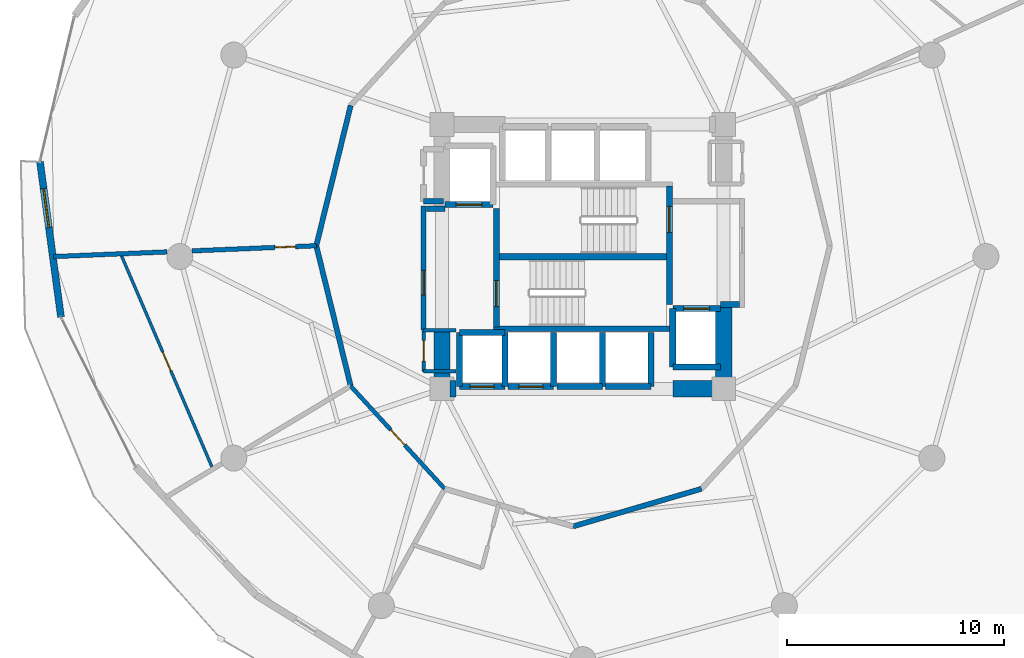
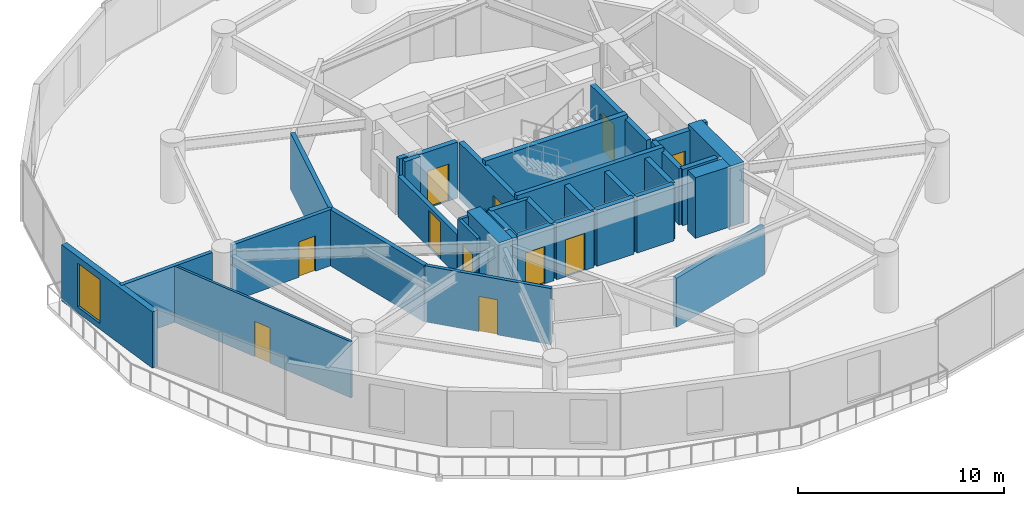
# One storey, part 19 of 24: 37 walls, 11 doors, 1 window, 12 openings.
"""IFC4 building model written with IfcOpenShell, lengths in metres."""

import ifcopenshell
import ifcopenshell.guid

model = None  # the IFC model being written
_history = None  # IfcOwnerHistory: only IFC2X3 demands one
_inside = {}  # id of a spatial element -> (the spatial element, [elements in it])
_under = {}  # id of a project, library or spatial element -> (it, [spatial elements below it])
_declared = {}  # id of a project -> (the project, [libraries it declares])
_typed = {}  # id of a type object -> (the type object, [elements of that type])
_made_of = {}  # id of a material, layer set ... -> (it, [elements and type objects made of it])


def new_model(schema):
    """Start an empty IFC model of exactly this schema.

    Asked for "IFC4X3", IfcOpenShell would pick the latest addendum, in which some entities
    have other attributes; the version numbers below select the first issue.
    IFC2X3 requires an IfcOwnerHistory on every rooted entity: one is made here for all.
    """
    global model, _history
    if schema == "IFC4X3":
        model = ifcopenshell.file(schema_version=(4, 3, 0, 0))
    else:
        model = ifcopenshell.file(schema=schema)
    _inside.clear()
    _under.clear()
    _declared.clear()
    _typed.clear()
    _made_of.clear()
    _history = None
    if model.schema == "IFC2X3":
        org = make("IfcOrganization", Name="unknown")
        user = make(
            "IfcPersonAndOrganization",
            ThePerson=make("IfcPerson", FamilyName="unknown"),
            TheOrganization=org,
        )
        app = make(
            "IfcApplication",
            ApplicationDeveloper=org,
            Version="unknown",
            ApplicationFullName="unknown",
            ApplicationIdentifier="unknown",
        )
        _history = make(
            "IfcOwnerHistory",
            OwningUser=user,
            OwningApplication=app,
            ChangeAction="ADDED",
            CreationDate=0,
        )
    return model


def make(cls, **values):
    """One entity of the class cls with the attributes given. An attribute that is None is left unset."""
    return model.create_entity(
        cls, **{name: value for name, value in values.items() if value is not None}
    )


def rooted(cls, **values):
    """An entity with a GlobalId (a new one), such as an element, a storey or a relation."""
    return make(cls, GlobalId=ifcopenshell.guid.new(), OwnerHistory=_history, **values)


def si_unit(unit_type, name, prefix=None):
    """IfcSIUnit, for example si_unit("LENGTHUNIT", "METRE", prefix="MILLI")."""
    return make("IfcSIUnit", UnitType=unit_type, Prefix=prefix, Name=name)


def assignment(units):
    """IfcUnitAssignment: the units of a project."""
    return None if units is None else make("IfcUnitAssignment", Units=units)


def point(xyz):
    """IfcCartesianPoint."""
    return None if xyz is None else make("IfcCartesianPoint", Coordinates=xyz)


def direction(xyz):
    """IfcDirection."""
    return None if xyz is None else make("IfcDirection", DirectionRatios=xyz)


def frame(location, z_axis=None, x_axis=None):
    """IfcAxis2Placement3D, a coordinate frame: its origin and axes. An axis left out is left unset."""
    return make(
        "IfcAxis2Placement3D",
        Location=point(location),
        Axis=direction(z_axis),
        RefDirection=direction(x_axis),
    )


def frame_2d(location, x_axis=None):
    """IfcAxis2Placement2D, a coordinate frame in the plane: its origin and x axis."""
    return make(
        "IfcAxis2Placement2D", Location=point(location), RefDirection=direction(x_axis)
    )


def origin():
    """The frame at (0, 0, 0) with its axes left unset."""
    return frame((0.0, 0.0, 0.0))


def place(relative_to, where):
    """IfcLocalPlacement: puts the frame where relative to a parent placement (None: the world)."""
    return make(
        "IfcLocalPlacement", PlacementRelTo=relative_to, RelativePlacement=where
    )


def context(
    kind, dimensions, precision=None, world=None, true_north=None, identifier=None
):
    """IfcGeometricRepresentationContext, for example the 3D "Model" context."""
    return make(
        "IfcGeometricRepresentationContext",
        ContextIdentifier=identifier,
        ContextType=kind,
        CoordinateSpaceDimension=dimensions,
        Precision=precision,
        WorldCoordinateSystem=world,
        TrueNorth=true_north,
    )


def subcontext(parent, identifier, kind, view, scale=None):
    """IfcGeometricRepresentationSubContext, for example "Body" below "Model"."""
    return make(
        "IfcGeometricRepresentationSubContext",
        ContextIdentifier=identifier,
        ContextType=kind,
        ParentContext=parent,
        TargetScale=scale,
        TargetView=view,
    )


def project(units=None, contexts=None):
    """IfcProject with its units and contexts."""
    return rooted(
        "IfcProject",
        Name="project",
        RepresentationContexts=contexts,
        UnitsInContext=assignment(units),
    )


def spatial(cls, under=None, at=None, **own):
    """A site, building, storey or space (cls), placed at a placement, below another one or the project."""
    s = rooted(cls, ObjectPlacement=at, **own)
    if under is not None:
        _under.setdefault(under.id(), (under, []))[1].append(s)
    return s


def profile(cls, at=None, kind="AREA", **sizes):
    """A parametric profile (cls). Its sizes go by their IFC names, for example OverallWidth=200.0."""
    return make(cls, ProfileType=kind, Position=at, **sizes)


def rectangle(**sizes):
    """IfcRectangleProfileDef."""
    return profile("IfcRectangleProfileDef", **sizes)


def extrude(swept, where, along, depth):
    """IfcExtrudedAreaSolid: the profile swept, set in the frame where, extruded along a direction by depth."""
    return make(
        "IfcExtrudedAreaSolid",
        SweptArea=swept,
        Position=where,
        ExtrudedDirection=direction(along),
        Depth=depth,
    )


def shape(context_of_items, identifier, shape_type, items):
    """IfcShapeRepresentation: the items that make up one representation, for example the "Body"."""
    return make(
        "IfcShapeRepresentation",
        ContextOfItems=context_of_items,
        RepresentationIdentifier=identifier,
        RepresentationType=shape_type,
        Items=items,
    )


def material(Name=None, Category=None):
    """IfcMaterial."""
    return make("IfcMaterial", Name=Name, Category=Category)


def layer(
    of_material, thickness, ventilated=None, Name=None, Category=None, Priority=None
):
    """IfcMaterialLayer: one layer of a wall or slab, of a material (None: an air gap)."""
    return make(
        "IfcMaterialLayer",
        Material=of_material,
        LayerThickness=thickness,
        IsVentilated=ventilated,
        Name=Name,
        Category=Category,
        Priority=Priority,
    )


def layer_set(layers, Name=None):
    """IfcMaterialLayerSet."""
    return make("IfcMaterialLayerSet", MaterialLayers=layers, LayerSetName=Name)


def made_of(thing, what):
    """Note that an element or type object is made of a material, layer set ...; save() writes the relation."""
    if what is not None:
        _made_of.setdefault(what.id(), (what, []))[1].append(thing)
    return thing


def type_object(cls, material=None, **own):
    """A type object (cls), such as IfcWallType, which elements share."""
    return made_of(rooted(cls, **own), material)


def element(
    cls,
    number,
    at=None,
    inside=None,
    cuts=None,
    type_object=None,
    material=None,
    context=None,
    identifier="Body",
    shape_type=None,
    held_by="IfcProductDefinitionShape",
    body=None,
    shapes=None,
    **own,
):
    """One element of the class cls, such as IfcWall. Its Tag is "e" and its number.

    at: its placement. inside: the storey or other place that contains it. cuts: it is an
    opening in that element (IfcRelVoidsElement). A single representation is given by context,
    identifier, shape_type and body (its items); several are given by shapes. held_by: the class
    of the entity that holds the representations. save() writes the other relations.
    """
    e = rooted(cls, Tag="e%d" % number, ObjectPlacement=at, **own)
    if body is not None:
        shapes = [shape(context, identifier, shape_type, body)]
    if shapes is not None:
        e.Representation = make(held_by, Representations=shapes)
    if inside is not None:
        _inside.setdefault(inside.id(), (inside, []))[1].append(e)
    if cuts is not None:
        rooted(
            "IfcRelVoidsElement", RelatingBuildingElement=cuts, RelatedOpeningElement=e
        )
    if type_object is not None:
        _typed.setdefault(type_object.id(), (type_object, []))[1].append(e)
    return made_of(e, material)


def fill(opening, filler):
    """IfcRelFillsElement: the door or window that sits in an opening."""
    return rooted(
        "IfcRelFillsElement",
        RelatingOpeningElement=opening,
        RelatedBuildingElement=filler,
    )


def aggregate(whole, parts):
    """IfcRelAggregates: a whole, such as a stair, and the parts it consists of."""
    return rooted("IfcRelAggregates", RelatingObject=whole, RelatedObjects=parts)


def save(model, path):
    """Write the relations noted so far, then the file.

    IfcRelAggregates (storeys below a building ...), IfcRelContainedInSpatialStructure (elements
    in a storey), IfcRelDefinesByType, IfcRelAssociatesMaterial and IfcRelDeclares: one each for
    every whole, place, type object, material and project.
    """
    for whole, parts in _under.values():
        aggregate(whole, parts)
    for where, things in _inside.values():
        rooted(
            "IfcRelContainedInSpatialStructure",
            RelatedElements=things,
            RelatingStructure=where,
        )
    for kind, things in _typed.values():
        rooted("IfcRelDefinesByType", RelatedObjects=things, RelatingType=kind)
    for what, things in _made_of.values():
        rooted("IfcRelAssociatesMaterial", RelatedObjects=things, RelatingMaterial=what)
    for by, libraries in _declared.values():
        rooted("IfcRelDeclares", RelatingContext=by, RelatedDefinitions=libraries)
    model.write(path)


model = new_model("IFC4")

# Units and contexts
model_context = context("Model", 3, precision=1e-05, world=origin(), true_north=direction((0.0, 1.0)))
body_context = subcontext(model_context, "Body", "Model", "MODEL_VIEW")
ifc_project = project(units=[si_unit("LENGTHUNIT", "METRE"), si_unit("AREAUNIT", "SQUARE_METRE"), si_unit("VOLUMEUNIT", "CUBIC_METRE"), si_unit("PLANEANGLEUNIT", "RADIAN"), si_unit("MASSUNIT", "GRAM", prefix="KILO")], contexts=[model_context])

# Site, building, storey
site_placement = place(None, origin())
site = spatial("IfcSite", under=ifc_project, at=site_placement, CompositionType="ELEMENT")
building_placement = place(site_placement, origin())
building = spatial("IfcBuilding", under=site, at=building_placement, Name="Solvirekh Grand Hotel", CompositionType="ELEMENT")
storey_placement = place(building_placement, frame((0.0, 0.0, 86.0)))
storey = spatial("IfcBuildingStorey", under=building, at=storey_placement, Name="L21", CompositionType="ELEMENT", Elevation=86.0)

# Wall
ifc_material_1 = material(Name="Concrete C50/60", Category="concrete")
ifc_layer_1 = layer(ifc_material_1, 0.35009765625)
ifc_layer_set_1 = layer_set([ifc_layer_1], Name="Concrete C50/60")
wall_type_1 = type_object("IfcWallType", Name="CoreDivWall_RC350", PredefinedType="SOLIDWALL", material=ifc_layer_set_1)
wall_1_placement = place(storey_placement, frame((-4.1298828125, -3.324951171875, 0.0), z_axis=(0.0, 0.0, 1.0), x_axis=(1.0, 0.0, 0.0)))
element("IfcWall", 1, at=wall_1_placement, inside=storey, type_object=wall_type_1, Name="L21 core stair box wall ST-S", PredefinedType="SOLIDWALL", context=body_context, shape_type="SweptSolid", body=[
    extrude(rectangle(XDim=8.259765625, YDim=0.25, at=frame_2d((4.1298828125, 0.0))), origin(), (0.0, 0.0, 1.0), 3.60009765625),
])

# Wall, opening, door
ifc_material_2 = material(Name="Concrete C40/50", Category="concrete")
ifc_layer_2 = layer(ifc_material_2, 0.280029296875)
ifc_layer_set_2 = layer_set([ifc_layer_2], Name="Concrete C40/50")
wall_type_2 = type_object("IfcWallType", Name="CoreShaftWall_RC280", PredefinedType="SOLIDWALL", material=ifc_layer_set_2)
wall_2_placement = place(storey_placement, frame((-5.699951171875, -6.0, 0.0), z_axis=(0.0, 0.0, 1.0), x_axis=(1.0, 0.0, 0.0)))
wall_2 = element("IfcWall", 2, at=wall_2_placement, inside=storey, type_object=wall_type_2, Name="L21 LP-1 hoistway S wall", PredefinedType="SOLIDWALL", context=body_context, shape_type="SweptSolid", body=[
    extrude(rectangle(XDim=2.099853515625, YDim=0.280029296875, at=frame_2d((1.0498046875, 0.0))), origin(), (0.0, 0.0, 1.0), 3.340087890625),
])
opening_1_placement = place(wall_2_placement, frame((0.5, 0.0, 0.0)))
opening_1 = element("IfcOpeningElement", 3, at=opening_1_placement, cuts=wall_2, Name="Opening LD01", PredefinedType="OPENING", context=body_context, shape_type="SweptSolid", body=[
    extrude(rectangle(XDim=1.10009765625, YDim=2.199951171875, at=frame_2d((0.550048828125, 1.10009765625))), frame((0.0, 0.14990234375, 0.0), z_axis=(0.0, -1.0, 0.0), x_axis=(1.0, 0.0, 0.0)), (0.0, 0.0, 1.0), 0.300048828125),
])
ifc_material_3 = material(Name="Fire-Rated Steel Door Assembly", Category="steel")
door_type_1 = type_object("IfcDoorType", Name="Door_LiftLanding_1100X2200", OperationType="SLIDING_TO_LEFT", PredefinedType="DOOR", material=ifc_material_3)
door_1_placement = place(opening_1_placement, origin())
door_1 = element("IfcDoor", 4, at=door_1_placement, inside=storey, type_object=door_type_1, Name="L21 LP-1 sliding lift landing door", OperationType="SLIDING_TO_LEFT", OverallHeight=2.199951171875, OverallWidth=1.10009765625, PredefinedType="DOOR", context=body_context, shape_type="SweptSolid", body=[
    extrude(rectangle(XDim=1.10009765625, YDim=2.199951171875, at=frame_2d((0.550048828125, 1.10009765625))), frame((0.0, 0.02490234375, 0.0), z_axis=(0.0, -1.0, 0.0), x_axis=(1.0, 0.0, 0.0)), (0.0, 0.0, 1.0), 0.050048828125),
])
fill(opening_1, door_1)

# Walls
wall_3_placement = place(storey_placement, frame((-3.60009765625, -3.5, 0.0), z_axis=(0.0, 0.0, 1.0), x_axis=(-1.0, 0.0, 0.0)))
element("IfcWall", 5, at=wall_3_placement, inside=storey, type_object=wall_type_2, Name="L21 LP-1 hoistway N wall", PredefinedType="SOLIDWALL", context=body_context, shape_type="SweptSolid", body=[
    extrude(rectangle(XDim=2.099853515625, YDim=0.280029296875, at=frame_2d((1.0498046875, 0.0))), origin(), (0.0, 0.0, 1.0), 3.340087890625),
])
for number, where, z_axis, x_axis, name in (
    (6, (-5.699951171875, -3.5, 0.0), (0.0, 0.0, 1.0), (0.0, -1.0, 0.0), "L21 LP-1 hoistway W wall"),
    (7, (-3.60009765625, -6.0, 0.0), (0.0, 0.0, 1.0), (0.0, 1.0, 0.0), "L21 LP-1 hoistway E wall"),
):
    element("IfcWall", number, at=place(storey_placement, frame(where, z_axis=z_axis, x_axis=x_axis)), inside=storey, type_object=wall_type_2, Name=name, PredefinedType="SOLIDWALL", context=body_context, shape_type="SweptSolid", body=[
        extrude(rectangle(XDim=2.5, YDim=0.280029296875, at=frame_2d((1.25, 0.0))), origin(), (0.0, 0.0, 1.0), 3.340087890625),
    ])

# Wall, opening, door
wall_4_placement = place(storey_placement, frame((-3.449951171875, -6.0, 0.0), z_axis=(0.0, 0.0, 1.0), x_axis=(1.0, 0.0, 0.0)))
wall_4 = element("IfcWall", 8, at=wall_4_placement, inside=storey, type_object=wall_type_2, Name="L21 LP-2 hoistway S wall", PredefinedType="SOLIDWALL", context=body_context, shape_type="SweptSolid", body=[
    extrude(rectangle(XDim=2.099853515625, YDim=0.280029296875, at=frame_2d((1.0498046875, 0.0))), origin(), (0.0, 0.0, 1.0), 3.340087890625),
])
opening_2_placement = place(wall_4_placement, frame((0.5, 0.0, 0.0)))
opening_2 = element("IfcOpeningElement", 9, at=opening_2_placement, cuts=wall_4, Name="Opening LD01", PredefinedType="OPENING", context=body_context, shape_type="SweptSolid", body=[
    extrude(rectangle(XDim=1.10009765625, YDim=2.199951171875, at=frame_2d((0.550048828125, 1.10009765625))), frame((0.0, 0.14990234375, 0.0), z_axis=(0.0, -1.0, 0.0), x_axis=(1.0, 0.0, 0.0)), (0.0, 0.0, 1.0), 0.300048828125),
])
door_2_placement = place(opening_2_placement, origin())
door_2 = element("IfcDoor", 10, at=door_2_placement, inside=storey, type_object=door_type_1, Name="L21 LP-2 sliding lift landing door", OperationType="SLIDING_TO_LEFT", OverallHeight=2.199951171875, OverallWidth=1.10009765625, PredefinedType="DOOR", context=body_context, shape_type="SweptSolid", body=[
    extrude(rectangle(XDim=1.10009765625, YDim=2.199951171875, at=frame_2d((0.550048828125, 1.10009765625))), frame((0.0, 0.02490234375, 0.0), z_axis=(0.0, -1.0, 0.0), x_axis=(1.0, 0.0, 0.0)), (0.0, 0.0, 1.0), 0.050048828125),
])
fill(opening_2, door_2)

# Walls
wall_5_placement = place(storey_placement, frame((-1.35009765625, -6.0, 0.0), z_axis=(0.0, 0.0, 1.0), x_axis=(0.0, 1.0, 0.0)))
element("IfcWall", 11, at=wall_5_placement, inside=storey, type_object=wall_type_2, Name="L21 LP-2 hoistway E wall", PredefinedType="SOLIDWALL", context=body_context, shape_type="SweptSolid", body=[
    extrude(rectangle(XDim=2.5, YDim=0.280029296875, at=frame_2d((1.25, 0.0))), origin(), (0.0, 0.0, 1.0), 3.340087890625),
])
wall_6_placement = place(storey_placement, frame((-1.199951171875, -6.0, 0.0), z_axis=(0.0, 0.0, 1.0), x_axis=(1.0, 0.0, 0.0)))
element("IfcWall", 12, at=wall_6_placement, inside=storey, type_object=wall_type_2, Name="L21 MP-1 hoistway S wall", PredefinedType="SOLIDWALL", context=body_context, shape_type="SweptSolid", body=[
    extrude(rectangle(XDim=2.099853515625, YDim=0.280029296875, at=frame_2d((1.0498046875, 0.0))), origin(), (0.0, 0.0, 1.0), 3.340087890625),
])
wall_7_placement = place(storey_placement, frame((0.89990234375, -6.0, 0.0), z_axis=(0.0, 0.0, 1.0), x_axis=(0.0, 1.0, 0.0)))
element("IfcWall", 13, at=wall_7_placement, inside=storey, type_object=wall_type_2, Name="L21 MP-1 hoistway E wall", PredefinedType="SOLIDWALL", context=body_context, shape_type="SweptSolid", body=[
    extrude(rectangle(XDim=2.5, YDim=0.280029296875, at=frame_2d((1.25, 0.0))), origin(), (0.0, 0.0, 1.0), 3.340087890625),
])
wall_8_placement = place(storey_placement, frame((1.050048828125, -6.0, 0.0), z_axis=(0.0, 0.0, 1.0), x_axis=(1.0, 0.0, 0.0)))
element("IfcWall", 14, at=wall_8_placement, inside=storey, type_object=wall_type_2, Name="L21 MP-2 hoistway S wall", PredefinedType="SOLIDWALL", context=body_context, shape_type="SweptSolid", body=[
    extrude(rectangle(XDim=2.099853515625, YDim=0.280029296875, at=frame_2d((1.0498046875, 0.0))), origin(), (0.0, 0.0, 1.0), 3.340087890625),
])
wall_9_placement = place(storey_placement, frame((3.14990234375, -6.0, 0.0), z_axis=(0.0, 0.0, 1.0), x_axis=(0.0, 1.0, 0.0)))
element("IfcWall", 15, at=wall_9_placement, inside=storey, type_object=wall_type_2, Name="L21 MP-2 hoistway E wall", PredefinedType="SOLIDWALL", context=body_context, shape_type="SweptSolid", body=[
    extrude(rectangle(XDim=2.5, YDim=0.280029296875, at=frame_2d((1.25, 0.0))), origin(), (0.0, 0.0, 1.0), 3.340087890625),
])

# Wall, opening, door
wall_10_placement = place(storey_placement, frame((-6.35009765625, 2.39990234375, 0.0), z_axis=(0.0, 0.0, 1.0), x_axis=(1.0, 0.0, 0.0)))
wall_10 = element("IfcWall", 16, at=wall_10_placement, inside=storey, type_object=wall_type_2, Name="L21 FL-1 hoistway S wall", PredefinedType="SOLIDWALL", context=body_context, shape_type="SweptSolid", body=[
    extrude(rectangle(XDim=2.2001953125, YDim=0.280029296875, at=frame_2d((1.10009765625, 0.0))), origin(), (0.0, 0.0, 1.0), 3.340087890625),
])
opening_3_placement = place(wall_10_placement, frame((0.5, 0.0, 0.0)))
opening_3 = element("IfcOpeningElement", 17, at=opening_3_placement, cuts=wall_10, Name="Opening LD02", PredefinedType="OPENING", context=body_context, shape_type="SweptSolid", body=[
    extrude(rectangle(XDim=1.199951171875, YDim=2.199951171875, at=frame_2d((0.60009765625, 1.10009765625))), frame((0.0, 0.14990234375, 0.0), z_axis=(0.0, -1.0, 0.0), x_axis=(1.0, 0.0, 0.0)), (0.0, 0.0, 1.0), 0.300048828125),
])
door_type_2 = type_object("IfcDoorType", Name="Door_LiftFF_1200X2200", OperationType="SLIDING_TO_LEFT", PredefinedType="DOOR", material=ifc_material_3)
door_3_placement = place(opening_3_placement, origin())
door_3 = element("IfcDoor", 18, at=door_3_placement, inside=storey, type_object=door_type_2, Name="L21 FL-1 sliding lift landing door", OperationType="SLIDING_TO_LEFT", OverallHeight=2.199951171875, OverallWidth=1.199951171875, PredefinedType="DOOR", context=body_context, shape_type="SweptSolid", body=[
    extrude(rectangle(XDim=1.199951171875, YDim=2.199951171875, at=frame_2d((0.60009765625, 1.10009765625))), frame((0.0, 0.02490234375, 0.0), z_axis=(0.0, -1.0, 0.0), x_axis=(1.0, 0.0, 0.0)), (0.0, 0.0, 1.0), 0.050048828125),
])
fill(opening_3, door_3)

# Wall
wall_11_placement = place(storey_placement, frame((4.14990234375, -5.10009765625, 0.0), z_axis=(0.0, 0.0, 1.0), x_axis=(1.0, 0.0, 0.0)))
element("IfcWall", 19, at=wall_11_placement, inside=storey, type_object=wall_type_2, Name="L21 FL-2 hoistway S wall", PredefinedType="SOLIDWALL", context=body_context, shape_type="SweptSolid", body=[
    extrude(rectangle(XDim=2.2001953125, YDim=0.280029296875, at=frame_2d((1.10009765625, 0.0))), origin(), (0.0, 0.0, 1.0), 3.340087890625),
])

# Wall, opening, door
wall_12_placement = place(storey_placement, frame((6.35009765625, -2.39990234375, 0.0), z_axis=(0.0, 0.0, 1.0), x_axis=(-1.0, 0.0, 0.0)))
wall_12 = element("IfcWall", 20, at=wall_12_placement, inside=storey, type_object=wall_type_2, Name="L21 FL-2 hoistway N wall", PredefinedType="SOLIDWALL", context=body_context, shape_type="SweptSolid", body=[
    extrude(rectangle(XDim=2.2001953125, YDim=0.280029296875, at=frame_2d((1.10009765625, 0.0))), origin(), (0.0, 0.0, 1.0), 3.340087890625),
])
opening_4_placement = place(wall_12_placement, frame((0.5, 0.0, 0.0)))
opening_4 = element("IfcOpeningElement", 21, at=opening_4_placement, cuts=wall_12, Name="Opening LD02", PredefinedType="OPENING", context=body_context, shape_type="SweptSolid", body=[
    extrude(rectangle(XDim=1.199951171875, YDim=2.199951171875, at=frame_2d((0.60009765625, 1.10009765625))), frame((0.0, 0.14990234375, 0.0), z_axis=(0.0, -1.0, 0.0), x_axis=(1.0, 0.0, 0.0)), (0.0, 0.0, 1.0), 0.300048828125),
])
door_4_placement = place(opening_4_placement, origin())
door_4 = element("IfcDoor", 22, at=door_4_placement, inside=storey, type_object=door_type_2, Name="L21 FL-2 sliding lift landing door", OperationType="SLIDING_TO_LEFT", OverallHeight=2.199951171875, OverallWidth=1.199951171875, PredefinedType="DOOR", context=body_context, shape_type="SweptSolid", body=[
    extrude(rectangle(XDim=1.199951171875, YDim=2.199951171875, at=frame_2d((0.60009765625, 1.10009765625))), frame((0.0, 0.02490234375, 0.0), z_axis=(0.0, -1.0, 0.0), x_axis=(1.0, 0.0, 0.0)), (0.0, 0.0, 1.0), 0.050048828125),
])
fill(opening_4, door_4)

# Wall
wall_13_placement = place(storey_placement, frame((4.14990234375, -2.39990234375, 0.0), z_axis=(0.0, 0.0, 1.0), x_axis=(0.0, -1.0, 0.0)))
element("IfcWall", 23, at=wall_13_placement, inside=storey, type_object=wall_type_2, Name="L21 FL-2 hoistway W wall", PredefinedType="SOLIDWALL", context=body_context, shape_type="SweptSolid", body=[
    extrude(rectangle(XDim=2.7001953125, YDim=0.280029296875, at=frame_2d((1.35009765625, 0.0))), origin(), (0.0, 0.0, 1.0), 3.340087890625),
])

# Wall, opening, door
wall_14_placement = place(storey_placement, frame((-3.989990234375, -3.25, 0.0), z_axis=(0.0, 0.0, 1.0), x_axis=(0.0, 1.0, 0.0)))
wall_14 = element("IfcWall", 24, at=wall_14_placement, inside=storey, type_object=wall_type_2, Name="L21 west stair landing enclosure wall", PredefinedType="SOLIDWALL", context=body_context, shape_type="SweptSolid", body=[
    extrude(rectangle(XDim=5.4599609375, YDim=0.280029296875, at=frame_2d((2.72998046875, 0.0))), origin(), (0.0, 0.0, 1.0), 3.340087890625),
])
opening_5_placement = place(wall_14_placement, frame((0.93701171875, 0.0, 0.0)))
opening_5 = element("IfcOpeningElement", 25, at=opening_5_placement, cuts=wall_14, Name="Opening D05", PredefinedType="OPENING", context=body_context, shape_type="SweptSolid", body=[
    extrude(rectangle(XDim=1.199951171875, YDim=2.199951171875, at=frame_2d((0.60009765625, 1.10009765625))), frame((0.0, 0.14990234375, 0.0), z_axis=(0.0, -1.0, 0.0), x_axis=(1.0, 0.0, 0.0)), (0.0, 0.0, 1.0), 0.300048828125),
])
door_type_3 = type_object("IfcDoorType", Name="Door_StairCore_1200X2200", OperationType="NOTDEFINED", PredefinedType="DOOR", material=ifc_material_3)
door_5_placement = place(opening_5_placement, origin())
door_5 = element("IfcDoor", 26, at=door_5_placement, inside=storey, type_object=door_type_3, Name="L21 exit stair ST-1 fire door", OperationType="SINGLE_SWING_RIGHT", OverallHeight=2.199951171875, OverallWidth=1.199951171875, PredefinedType="DOOR", context=body_context, shape_type="SweptSolid", body=[
    extrude(rectangle(XDim=1.199951171875, YDim=2.199951171875, at=frame_2d((0.60009765625, 1.10009765625))), frame((0.0, 0.02490234375, 0.0), z_axis=(0.0, -1.0, 0.0), x_axis=(1.0, 0.0, 0.0)), (0.0, 0.0, 1.0), 0.050048828125),
])
fill(opening_5, door_5)

wall_15_placement = place(storey_placement, frame((3.989990234375, -2.2099609375, 0.0), z_axis=(0.0, 0.0, 1.0), x_axis=(0.0, 1.0, 0.0)))
wall_15 = element("IfcWall", 27, at=wall_15_placement, inside=storey, type_object=wall_type_2, Name="L21 east stair landing enclosure wall", PredefinedType="SOLIDWALL", context=body_context, shape_type="SweptSolid", body=[
    extrude(rectangle(XDim=5.4599609375, YDim=0.280029296875, at=frame_2d((2.72998046875, 0.0))), origin(), (0.0, 0.0, 1.0), 3.340087890625),
])
opening_6_placement = place(wall_15_placement, frame((3.322998046875, 0.0, 0.0)))
opening_6 = element("IfcOpeningElement", 28, at=opening_6_placement, cuts=wall_15, Name="Opening D05", PredefinedType="OPENING", context=body_context, shape_type="SweptSolid", body=[
    extrude(rectangle(XDim=1.199951171875, YDim=2.199951171875, at=frame_2d((0.60009765625, 1.10009765625))), frame((0.0, 0.14990234375, 0.0), z_axis=(0.0, -1.0, 0.0), x_axis=(1.0, 0.0, 0.0)), (0.0, 0.0, 1.0), 0.300048828125),
])
door_6_placement = place(opening_6_placement, origin())
door_6 = element("IfcDoor", 29, at=door_6_placement, inside=storey, type_object=door_type_3, Name="L21 exit stair ST-2 fire door", OperationType="SINGLE_SWING_LEFT", OverallHeight=2.199951171875, OverallWidth=1.199951171875, PredefinedType="DOOR", context=body_context, shape_type="SweptSolid", body=[
    extrude(rectangle(XDim=1.199951171875, YDim=2.199951171875, at=frame_2d((0.60009765625, 1.10009765625))), frame((0.0, 0.02490234375, 0.0), z_axis=(0.0, -1.0, 0.0), x_axis=(1.0, 0.0, 0.0)), (0.0, 0.0, 1.0), 0.050048828125),
])
fill(opening_6, door_6)

# Walls
ifc_material_4 = material(Name="Concrete C60/75", Category="concrete")
ifc_layer_3 = layer(ifc_material_4, 0.75)
ifc_layer_set_3 = layer_set([ifc_layer_3], Name="Concrete C60/75")
wall_type_3 = type_object("IfcWallType", Name="CoreWall_RC750", PredefinedType="SHEAR", material=ifc_layer_set_3)
wall_16_placement = place(storey_placement, frame((-3.989990234375, 0.0, 0.0), z_axis=(0.0, 0.0, 1.0), x_axis=(1.0, 0.0, 0.0)))
element("IfcWall", 30, at=wall_16_placement, inside=storey, type_object=wall_type_3, Name="L21 central stair-spine shear wall", PredefinedType="SHEAR", context=body_context, shape_type="SweptSolid", body=[
    extrude(rectangle(XDim=7.97998046875, YDim=0.300048828125, at=frame_2d((3.989990234375, 0.0))), origin(), (0.0, 0.0, 1.0), 3.60009765625),
])
wall_17_placement = place(storey_placement, frame((-6.125, -6.10009765625, 0.0), z_axis=(0.0, 0.0, 1.0), x_axis=(1.0, 0.0, 0.0)))
element("IfcWall", 31, at=wall_17_placement, inside=storey, type_object=wall_type_3, Name="L21 core corner shear wall SW-S", PredefinedType="SHEAR", context=body_context, shape_type="SweptSolid", body=[
    extrude(rectangle(XDim=0.27490234375, YDim=0.75, at=frame_2d((0.137451171875, 0.0))), origin(), (0.0, 0.0, 1.0), 3.60009765625),
])
wall_18_placement = place(storey_placement, frame((4.14990234375, -6.10009765625, 0.0), z_axis=(0.0, 0.0, 1.0), x_axis=(1.0, 0.0, 0.0)))
element("IfcWall", 32, at=wall_18_placement, inside=storey, type_object=wall_type_3, Name="L21 core corner shear wall SE-S", PredefinedType="SHEAR", context=body_context, shape_type="SweptSolid", body=[
    extrude(rectangle(XDim=1.97509765625, YDim=0.75, at=frame_2d((0.987548828125, 0.0))), origin(), (0.0, 0.0, 1.0), 3.60009765625),
])
wall_19_placement = place(storey_placement, frame((-6.5, -6.47509765625, 0.0), z_axis=(0.0, 0.0, 1.0), x_axis=(0.0, 1.0, 0.0)))
element("IfcWall", 33, at=wall_19_placement, inside=storey, type_object=wall_type_3, Name="L21 core corner shear wall WS-W", PredefinedType="SHEAR", context=body_context, shape_type="SweptSolid", body=[
    extrude(rectangle(XDim=3.125, YDim=0.75, at=frame_2d((1.5625, 0.0))), origin(), (0.0, 0.0, 1.0), 3.60009765625),
])
wall_20_placement = place(storey_placement, frame((6.5, -6.47509765625, 0.0), z_axis=(0.0, 0.0, 1.0), x_axis=(0.0, 1.0, 0.0)))
element("IfcWall", 34, at=wall_20_placement, inside=storey, type_object=wall_type_3, Name="L21 core corner shear wall ES-E", PredefinedType="SHEAR", context=body_context, shape_type="SweptSolid", body=[
    extrude(rectangle(XDim=4.125, YDim=0.75, at=frame_2d((2.0625, 0.0))), origin(), (0.0, 0.0, 1.0), 3.60009765625),
])

# Wall, opening, window
ifc_material_5 = material(Name="Precast concrete C45/55", Category="concrete")
ifc_layer_4 = layer(ifc_material_5, 0.320068359375)
ifc_layer_set_4 = layer_set([ifc_layer_4], Name="Precast concrete C45/55")
wall_type_4 = type_object("IfcWallType", Name="ExtLobbyWall_RC320", PredefinedType="SOLIDWALL", material=ifc_layer_set_4)
wall_21_placement = place(storey_placement, frame((-24.0810546875, -2.7880859375, 0.0), z_axis=(0.0, 0.0, 1.0), x_axis=(-0.133965377551, 0.990986012826, 0.0)))
wall_21 = element("IfcWall", 35, at=wall_21_placement, inside=storey, type_object=wall_type_4, Name="L21 exterior structural wall chord 12", PredefinedType="SOLIDWALL", context=body_context, shape_type="SweptSolid", body=[
    extrude(rectangle(XDim=7.233154296875, YDim=0.320068359375, at=frame_2d((3.61669921875, 0.0))), origin(), (0.0, 0.0, 1.0), 3.340087890625),
])
opening_7_placement = place(wall_21_placement, frame((4.1708984375, 0.0, 0.35009765625)))
opening_7 = element("IfcOpeningElement", 36, at=opening_7_placement, cuts=wall_21, Name="Opening W02", PredefinedType="OPENING", context=body_context, shape_type="SweptSolid", body=[
    extrude(rectangle(XDim=1.800048828125, YDim=2.60009765625, at=frame_2d((0.89990234375, 1.300048828125))), frame((0.0, 0.169921875, 0.0), z_axis=(0.0, -1.0, 0.0), x_axis=(1.0, 0.0, 0.0)), (0.0, 0.0, 1.0), 0.340087890625),
])
ifc_material_6 = material(Name="Low-E Tinted Bronze Laminated Glass", Category="aluminium")
window_type = type_object("IfcWindowType", Name="Win_LobbyExt_1800X2600", PartitioningType="SINGLE_PANEL", PredefinedType="WINDOW", material=ifc_material_6)
window_placement = place(opening_7_placement, origin())
window = element("IfcWindow", 37, at=window_placement, inside=storey, type_object=window_type, Name="L21 panoramic bronze-framed window 12", OverallHeight=2.60009765625, OverallWidth=1.800048828125, PartitioningType="SINGLE_PANEL", PredefinedType="WINDOW", context=body_context, shape_type="SweptSolid", body=[
    extrude(rectangle(XDim=1.800048828125, YDim=2.60009765625, at=frame_2d((0.89990234375, 1.300048828125))), frame((0.0, 0.030029296875, 0.0), z_axis=(0.0, -1.0, 0.0), x_axis=(1.0, 0.0, 0.0)), (0.0, 0.0, 1.0), 0.06005859375),
])
fill(opening_7, window)

# Walls
ifc_material_7 = material(Name="Acoustic Gypsum Partition Assembly")
ifc_layer_5 = layer(ifc_material_7, 0.1650390625)
ifc_layer_set_5 = layer_set([ifc_layer_5], Name="Acoustic Gypsum Partition Assembly")
wall_type_5 = type_object("IfcWallType", Name="Part_BOH_165", PredefinedType="PARTITIONING", material=ifc_layer_set_5)
wall_22_placement = place(storey_placement, frame((-7.35009765625, -5.300048828125, 0.0), z_axis=(0.0, 0.0, 1.0), x_axis=(1.0, 0.0, 0.0)))
element("IfcWall", 38, at=wall_22_placement, inside=storey, type_object=wall_type_5, Name="L21 L21 Butler Service Closet wall 1", PredefinedType="PARTITIONING", context=body_context, shape_type="SweptSolid", body=[
    extrude(rectangle(XDim=1.5, YDim=0.1650390625, at=frame_2d((0.75, 0.0))), origin(), (0.0, 0.0, 1.0), 2.425048828125),
])
wall_23_placement = place(storey_placement, frame((-5.85009765625, -3.39990234375, 0.0), z_axis=(0.0, 0.0, 1.0), x_axis=(-1.0, 0.0, 0.0)))
element("IfcWall", 39, at=wall_23_placement, inside=storey, type_object=wall_type_5, Name="L21 L21 Butler Service Closet wall 3", PredefinedType="PARTITIONING", context=body_context, shape_type="SweptSolid", body=[
    extrude(rectangle(XDim=1.5, YDim=0.1650390625, at=frame_2d((0.75, 0.0))), origin(), (0.0, 0.0, 1.0), 3.340087890625),
])

# Wall, opening, door
wall_24_placement = place(storey_placement, frame((-7.35009765625, -3.39990234375, 0.0), z_axis=(0.0, 0.0, 1.0), x_axis=(0.0, -1.0, 0.0)))
wall_24 = element("IfcWall", 40, at=wall_24_placement, inside=storey, type_object=wall_type_5, Name="L21 L21 Butler Service Closet wall 4", PredefinedType="PARTITIONING", context=body_context, shape_type="SweptSolid", body=[
    extrude(rectangle(XDim=1.900146484375, YDim=0.1650390625, at=frame_2d((0.9501953125, 0.0))), origin(), (0.0, 0.0, 1.0), 3.340087890625),
])
opening_8_placement = place(wall_24_placement, frame((0.47509765625, 0.0, 0.0)))
opening_8 = element("IfcOpeningElement", 41, at=opening_8_placement, cuts=wall_24, Name="Opening D10", PredefinedType="OPENING", context=body_context, shape_type="SweptSolid", body=[
    extrude(rectangle(XDim=0.949951171875, YDim=2.10009765625, at=frame_2d((0.47509765625, 1.050048828125))), frame((0.0, 0.092529296875, 0.0), z_axis=(0.0, -1.0, 0.0), x_axis=(1.0, 0.0, 0.0)), (0.0, 0.0, 1.0), 0.18505859375),
])
ifc_material_8 = material(Name="Anodized Bronze Aluminium 6063-T6", Category="aluminium")
door_type_4 = type_object("IfcDoorType", Name="Door_RoomInt_950X2100", OperationType="NOTDEFINED", PredefinedType="DOOR", material=ifc_material_8)
door_7_placement = place(opening_8_placement, origin())
door_7 = element("IfcDoor", 42, at=door_7_placement, inside=storey, type_object=door_type_4, Name="L21 L21 Butler Service Closet door", OperationType="SINGLE_SWING_LEFT", OverallHeight=2.10009765625, OverallWidth=0.949951171875, PredefinedType="DOOR", context=body_context, shape_type="SweptSolid", body=[
    extrude(rectangle(XDim=0.949951171875, YDim=2.10009765625, at=frame_2d((0.47509765625, 1.050048828125))), frame((0.0, 0.02490234375, 0.0), z_axis=(0.0, -1.0, 0.0), x_axis=(1.0, 0.0, 0.0)), (0.0, 0.0, 1.0), 0.050048828125),
])
fill(opening_8, door_7)

ifc_layer_6 = layer(ifc_material_7, 0.239990234375)
ifc_layer_set_6 = layer_set([ifc_layer_6], Name="Acoustic Gypsum Partition Assembly")
wall_type_6 = type_object("IfcWallType", Name="Part_Corridor_240", PredefinedType="PARTITIONING", material=ifc_layer_set_6)
wall_25_placement = place(storey_placement, frame((-7.35009765625, -3.3798828125, 0.0), z_axis=(0.0, 0.0, 1.0), x_axis=(0.0, 1.0, 0.0)))
wall_25 = element("IfcWall", 43, at=wall_25_placement, inside=storey, type_object=wall_type_6, Name="L21 west firefighting lobby smoke screen wall", PredefinedType="PARTITIONING", context=body_context, shape_type="SweptSolid", body=[
    extrude(rectangle(XDim=5.719970703125, YDim=0.239990234375, at=frame_2d((2.85986328125, 0.0))), origin(), (0.0, 0.0, 1.0), 2.425048828125),
])
opening_9_placement = place(wall_25_placement, frame((1.59912109375, 0.0, 0.0)))
opening_9 = element("IfcOpeningElement", 44, at=opening_9_placement, cuts=wall_25, Name="Opening D06", PredefinedType="OPENING", context=body_context, shape_type="SweptSolid", body=[
    extrude(rectangle(XDim=1.14990234375, YDim=2.199951171875, at=frame_2d((0.574951171875, 1.10009765625))), frame((0.0, 0.1298828125, 0.0), z_axis=(0.0, -1.0, 0.0), x_axis=(1.0, 0.0, 0.0)), (0.0, 0.0, 1.0), 0.260009765625),
])
door_type_5 = type_object("IfcDoorType", Name="Door_FFLobby_1150X2200", OperationType="NOTDEFINED", PredefinedType="DOOR", material=ifc_material_3)
door_8_placement = place(opening_9_placement, origin())
door_8 = element("IfcDoor", 45, at=door_8_placement, inside=storey, type_object=door_type_5, Name="L21 west firefighting lobby smoke door", OperationType="SINGLE_SWING_RIGHT", OverallHeight=2.199951171875, OverallWidth=1.14990234375, PredefinedType="DOOR", context=body_context, shape_type="SweptSolid", body=[
    extrude(rectangle(XDim=1.14990234375, YDim=2.199951171875, at=frame_2d((0.574951171875, 1.10009765625))), frame((0.0, 0.02490234375, 0.0), z_axis=(0.0, -1.0, 0.0), x_axis=(1.0, 0.0, 0.0)), (0.0, 0.0, 1.0), 0.050048828125),
])
fill(opening_9, door_8)

# Walls
wall_26_placement = place(storey_placement, frame((-0.449951171875, -12.449951171875, 0.0), z_axis=(0.0, 0.0, 1.0), x_axis=(0.959706719045, 0.281003582576, 0.0)))
element("IfcWall", 46, at=wall_26_placement, inside=storey, type_object=wall_type_6, Name="L21 Presidential Suite 2301 Living Room corridor wall 1", PredefinedType="PARTITIONING", context=body_context, shape_type="SweptSolid", body=[
    extrude(rectangle(XDim=6.173828125, YDim=0.239990234375, at=frame_2d((3.0869140625, 0.0))), origin(), (0.0, 0.0, 1.0), 2.9169921875),
])
for number, where, z_axis, x_axis, name in (
    (47, (-10.7119140625, 6.97509765625, 0.0), (0.0, 0.0, 1.0), (-0.238207841689, -0.971214200966, 0.0), "L21 Presidential Suite 2302 Living Room corridor wall 3"),
    (48, (-12.300048828125, 0.5, 0.0), (0.0, 0.0, 1.0), (0.238207841689, -0.971214200966, 0.0), "L21 Presidential Suite 2302 Suite Foyer corridor enclosure wall"),
):
    element("IfcWall", number, at=place(storey_placement, frame(where, z_axis=z_axis, x_axis=x_axis)), inside=storey, type_object=wall_type_6, Name=name, PredefinedType="PARTITIONING", context=body_context, shape_type="SweptSolid", body=[
        extrude(rectangle(XDim=6.6669921875, YDim=0.239990234375, at=frame_2d((3.33349609375, 0.0))), origin(), (0.0, 0.0, 1.0), 3.340087890625),
    ])

# Wall, opening, door
ifc_layer_7 = layer(ifc_material_7, 0.18994140625)
ifc_layer_set_7 = layer_set([ifc_layer_7], Name="Acoustic Gypsum Partition Assembly")
wall_type_7 = type_object("IfcWallType", Name="Part_GuestDemise_190", PredefinedType="PARTITIONING", material=ifc_layer_set_7)
wall_27_placement = place(storey_placement, frame((-10.7119140625, -5.97509765625, 0.0), z_axis=(0.0, 0.0, 1.0), x_axis=(0.675041189424, -0.737780043496, 0.0)))
wall_27 = element("IfcWall", 49, at=wall_27_placement, inside=storey, type_object=wall_type_7, Name="L21 L21 Cigar & Cognac Lounge entrance wall", PredefinedType="PARTITIONING", context=body_context, shape_type="SweptSolid", body=[
    extrude(rectangle(XDim=6.424560546875, YDim=0.18994140625, at=frame_2d((3.21240234375, 0.0))), origin(), (0.0, 0.0, 1.0), 3.340087890625),
])
opening_10_placement = place(wall_27_placement, frame((2.737060546875, 0.0, 0.0)))
opening_10 = element("IfcOpeningElement", 50, at=opening_10_placement, cuts=wall_27, Name="Opening D10", PredefinedType="OPENING", context=body_context, shape_type="SweptSolid", body=[
    extrude(rectangle(XDim=0.949951171875, YDim=2.10009765625, at=frame_2d((0.47509765625, 1.050048828125))), frame((0.0, 0.10498046875, 0.0), z_axis=(0.0, -1.0, 0.0), x_axis=(1.0, 0.0, 0.0)), (0.0, 0.0, 1.0), 0.2099609375),
])
door_9_placement = place(opening_10_placement, origin())
door_9 = element("IfcDoor", 51, at=door_9_placement, inside=storey, type_object=door_type_4, Name="L21 L21 Cigar & Cognac Lounge entrance door", OperationType="SINGLE_SWING_LEFT", OverallHeight=2.10009765625, OverallWidth=0.949951171875, PredefinedType="DOOR", context=body_context, shape_type="SweptSolid", body=[
    extrude(rectangle(XDim=0.949951171875, YDim=2.10009765625, at=frame_2d((0.47509765625, 1.050048828125))), frame((0.0, 0.02490234375, 0.0), z_axis=(0.0, -1.0, 0.0), x_axis=(1.0, 0.0, 0.0)), (0.0, 0.0, 1.0), 0.050048828125),
])
fill(opening_10, door_9)

# Walls
ifc_layer_8 = layer(ifc_material_7, 0.260009765625)
ifc_layer_set_8 = layer_set([ifc_layer_8], Name="Acoustic Gypsum Partition Assembly")
wall_type_8 = type_object("IfcWallType", Name="Part_LobbyFF_260", PredefinedType="PARTITIONING", material=ifc_layer_set_8)
for number, where, z_axis, x_axis, name in (
    (52, (-7.22509765625, 2.2099609375, 0.0), (0.0, 0.0, 1.0), (1.0, 0.0, 0.0), "L21 west firefighting lobby NW cheek"),
    (53, (6.35009765625, -2.2099609375, 0.0), (0.0, 0.0, 1.0), (1.0, 0.0, 0.0), "L21 east firefighting lobby SE cheek"),
):
    element("IfcWall", number, at=place(storey_placement, frame(where, z_axis=z_axis, x_axis=x_axis)), inside=storey, type_object=wall_type_8, Name=name, PredefinedType="PARTITIONING", context=body_context, shape_type="SweptSolid", body=[
        extrude(rectangle(XDim=0.875, YDim=0.260009765625, at=frame_2d((0.4375, 0.0))), origin(), (0.0, 0.0, 1.0), 3.340087890625),
    ])
wall_28_placement = place(storey_placement, frame((-7.35009765625, 2.550048828125, 0.0), z_axis=(0.0, 0.0, 1.0), x_axis=(1.0, 0.0, 0.0)))
element("IfcWall", 54, at=wall_28_placement, inside=storey, type_object=wall_type_8, Name="L21 NW telecom metering cupboard south wall", PredefinedType="PARTITIONING", context=body_context, shape_type="SweptSolid", body=[
    extrude(rectangle(XDim=0.93017578125, YDim=0.260009765625, at=frame_2d((0.465087890625, 0.0))), origin(), (0.0, 0.0, 1.0), 3.340087890625),
])

# Wall, opening, door
ifc_layer_9 = layer(ifc_material_7, 0.135009765625)
ifc_layer_set_9 = layer_set([ifc_layer_9], Name="Acoustic Gypsum Partition Assembly")
wall_type_9 = type_object("IfcWallType", Name="Part_RoomInt_135", PredefinedType="PARTITIONING", material=ifc_layer_set_9)
wall_29_placement = place(storey_placement, frame((-21.327880859375, 0.1279296875, 0.0), z_axis=(0.0, 0.0, 1.0), x_axis=(0.393900208444, -0.91915321127, 0.0)))
wall_29 = element("IfcWall", 55, at=wall_29_placement, inside=storey, type_object=wall_type_9, Name="L21 Presidential Suite 2302 Suite Foyer bedroom screen wall", PredefinedType="PARTITIONING", context=body_context, shape_type="SweptSolid", body=[
    extrude(rectangle(XDim=10.804443359375, YDim=0.135009765625, at=frame_2d((5.40234375, 0.0))), origin(), (0.0, 0.0, 1.0), 3.340087890625),
])
opening_11_placement = place(wall_29_placement, frame((4.927001953125, 0.0, 0.0)))
opening_11 = element("IfcOpeningElement", 56, at=opening_11_placement, cuts=wall_29, Name="Opening D10", PredefinedType="OPENING", context=body_context, shape_type="SweptSolid", body=[
    extrude(rectangle(XDim=0.949951171875, YDim=2.10009765625, at=frame_2d((0.47509765625, 1.050048828125))), frame((0.0, 0.07763671875, 0.0), z_axis=(0.0, -1.0, 0.0), x_axis=(1.0, 0.0, 0.0)), (0.0, 0.0, 1.0), 0.155029296875),
])
door_10_placement = place(opening_11_placement, origin())
door_10 = element("IfcDoor", 57, at=door_10_placement, inside=storey, type_object=door_type_4, Name="L21 Presidential Suite 2302 Suite Foyer master bedroom door", OperationType="SINGLE_SWING_RIGHT", OverallHeight=2.10009765625, OverallWidth=0.949951171875, PredefinedType="DOOR", context=body_context, shape_type="SweptSolid", body=[
    extrude(rectangle(XDim=0.949951171875, YDim=2.10009765625, at=frame_2d((0.47509765625, 1.050048828125))), frame((0.0, 0.02490234375, 0.0), z_axis=(0.0, -1.0, 0.0), x_axis=(1.0, 0.0, 0.0)), (0.0, 0.0, 1.0), 0.050048828125),
])
fill(opening_11, door_10)

ifc_layer_10 = layer(ifc_material_7, 0.2099609375)
ifc_layer_set_10 = layer_set([ifc_layer_10], Name="Acoustic Gypsum Partition Assembly")
wall_type_10 = type_object("IfcWallType", Name="Part_SuiteDemise_210", PredefinedType="PARTITIONING", material=ifc_layer_set_10)
wall_30_placement = place(storey_placement, frame((-12.300048828125, 0.5, 0.0), z_axis=(0.0, 0.0, 1.0), x_axis=(-0.999147962478, -0.041271649788, 0.0)))
wall_30 = element("IfcWall", 58, at=wall_30_placement, inside=storey, type_object=wall_type_10, Name="L21 suite radial wall 7 (A)", PredefinedType="PARTITIONING", context=body_context, shape_type="SweptSolid", body=[
    extrude(rectangle(XDim=5.743896484375, YDim=0.2099609375, at=frame_2d((2.8720703125, 0.0))), origin(), (0.0, 0.0, 1.0), 3.340087890625),
])
opening_12_placement = place(wall_30_placement, frame((0.958984375, 0.0, 0.0)))
opening_12 = element("IfcOpeningElement", 59, at=opening_12_placement, cuts=wall_30, Name="Opening D10", PredefinedType="OPENING", context=body_context, shape_type="SweptSolid", body=[
    extrude(rectangle(XDim=0.949951171875, YDim=2.10009765625, at=frame_2d((0.47509765625, 1.050048828125))), frame((0.0, 0.114990234375, 0.0), z_axis=(0.0, -1.0, 0.0), x_axis=(1.0, 0.0, 0.0)), (0.0, 0.0, 1.0), 0.22998046875),
])
door_11_placement = place(opening_12_placement, origin())
door_11 = element("IfcDoor", 60, at=door_11_placement, inside=storey, type_object=door_type_4, Name="L21 Presidential Suite 2302 Suite Foyer suite connecting door", OperationType="SINGLE_SWING_LEFT", OverallHeight=2.10009765625, OverallWidth=0.949951171875, PredefinedType="DOOR", context=body_context, shape_type="SweptSolid", body=[
    extrude(rectangle(XDim=0.949951171875, YDim=2.10009765625, at=frame_2d((0.47509765625, 1.050048828125))), frame((0.0, 0.02490234375, 0.0), z_axis=(0.0, -1.0, 0.0), x_axis=(1.0, 0.0, 0.0)), (0.0, 0.0, 1.0), 0.050048828125),
])
fill(opening_12, door_11)

# Wall
wall_31_placement = place(storey_placement, frame((-19.180908203125, 0.216064453125, 0.0), z_axis=(0.0, 0.0, 1.0), x_axis=(-0.999150022412, -0.041221750493, 0.0)))
element("IfcWall", 61, at=wall_31_placement, inside=storey, type_object=wall_type_10, Name="L21 suite radial wall 7 (B)", PredefinedType="PARTITIONING", context=body_context, shape_type="SweptSolid", body=[
    extrude(rectangle(XDim=5.241455078125, YDim=0.2099609375, at=frame_2d((2.62060546875, 0.0))), origin(), (0.0, 0.0, 1.0), 3.340087890625),
])

save(model, "model.ifc")
